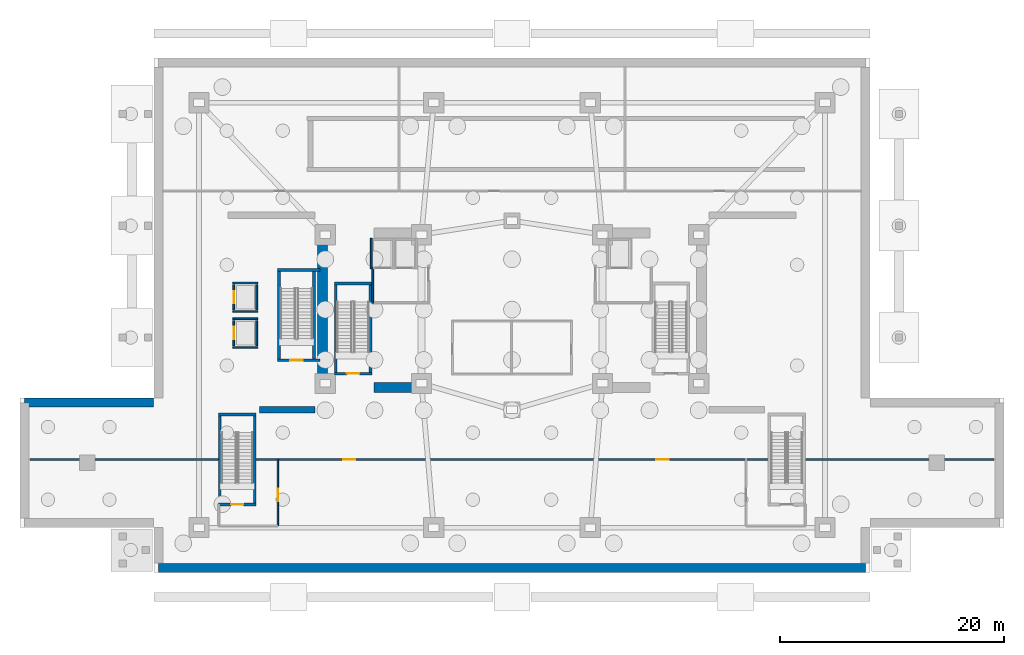
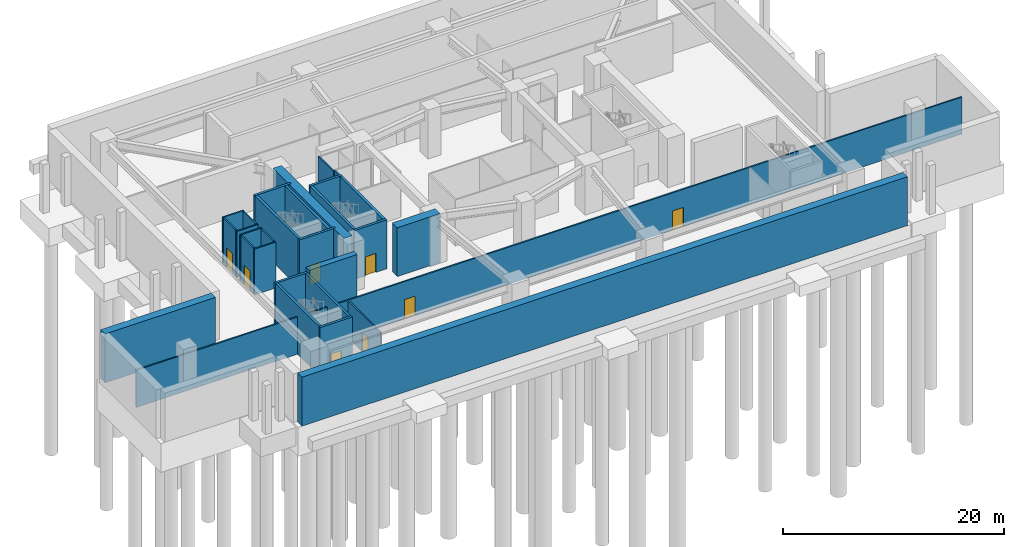
# One storey, part 3 of 9: 29 walls, 8 doors, 8 openings.
"""IFC4 building model written with IfcOpenShell, lengths in metres."""

import ifcopenshell
import ifcopenshell.guid

model = None  # the IFC model being written
_history = None  # IfcOwnerHistory: only IFC2X3 demands one
_inside = {}  # id of a spatial element -> (the spatial element, [elements in it])
_under = {}  # id of a project, library or spatial element -> (it, [spatial elements below it])
_declared = {}  # id of a project -> (the project, [libraries it declares])
_typed = {}  # id of a type object -> (the type object, [elements of that type])
_made_of = {}  # id of a material, layer set ... -> (it, [elements and type objects made of it])


def new_model(schema):
    """Start an empty IFC model of exactly this schema.

    Asked for "IFC4X3", IfcOpenShell would pick the latest addendum, in which some entities
    have other attributes; the version numbers below select the first issue.
    IFC2X3 requires an IfcOwnerHistory on every rooted entity: one is made here for all.
    """
    global model, _history
    if schema == "IFC4X3":
        model = ifcopenshell.file(schema_version=(4, 3, 0, 0))
    else:
        model = ifcopenshell.file(schema=schema)
    _inside.clear()
    _under.clear()
    _declared.clear()
    _typed.clear()
    _made_of.clear()
    _history = None
    if model.schema == "IFC2X3":
        org = make("IfcOrganization", Name="unknown")
        user = make(
            "IfcPersonAndOrganization",
            ThePerson=make("IfcPerson", FamilyName="unknown"),
            TheOrganization=org,
        )
        app = make(
            "IfcApplication",
            ApplicationDeveloper=org,
            Version="unknown",
            ApplicationFullName="unknown",
            ApplicationIdentifier="unknown",
        )
        _history = make(
            "IfcOwnerHistory",
            OwningUser=user,
            OwningApplication=app,
            ChangeAction="ADDED",
            CreationDate=0,
        )
    return model


def make(cls, **values):
    """One entity of the class cls with the attributes given. An attribute that is None is left unset."""
    return model.create_entity(
        cls, **{name: value for name, value in values.items() if value is not None}
    )


def rooted(cls, **values):
    """An entity with a GlobalId (a new one), such as an element, a storey or a relation."""
    return make(cls, GlobalId=ifcopenshell.guid.new(), OwnerHistory=_history, **values)


def si_unit(unit_type, name, prefix=None):
    """IfcSIUnit, for example si_unit("LENGTHUNIT", "METRE", prefix="MILLI")."""
    return make("IfcSIUnit", UnitType=unit_type, Prefix=prefix, Name=name)


def assignment(units):
    """IfcUnitAssignment: the units of a project."""
    return None if units is None else make("IfcUnitAssignment", Units=units)


def point(xyz):
    """IfcCartesianPoint."""
    return None if xyz is None else make("IfcCartesianPoint", Coordinates=xyz)


def direction(xyz):
    """IfcDirection."""
    return None if xyz is None else make("IfcDirection", DirectionRatios=xyz)


def frame(location, z_axis=None, x_axis=None):
    """IfcAxis2Placement3D, a coordinate frame: its origin and axes. An axis left out is left unset."""
    return make(
        "IfcAxis2Placement3D",
        Location=point(location),
        Axis=direction(z_axis),
        RefDirection=direction(x_axis),
    )


def frame_2d(location, x_axis=None):
    """IfcAxis2Placement2D, a coordinate frame in the plane: its origin and x axis."""
    return make(
        "IfcAxis2Placement2D", Location=point(location), RefDirection=direction(x_axis)
    )


def origin():
    """The frame at (0, 0, 0) with its axes left unset."""
    return frame((0.0, 0.0, 0.0))


def place(relative_to, where):
    """IfcLocalPlacement: puts the frame where relative to a parent placement (None: the world)."""
    return make(
        "IfcLocalPlacement", PlacementRelTo=relative_to, RelativePlacement=where
    )


def context(
    kind, dimensions, precision=None, world=None, true_north=None, identifier=None
):
    """IfcGeometricRepresentationContext, for example the 3D "Model" context."""
    return make(
        "IfcGeometricRepresentationContext",
        ContextIdentifier=identifier,
        ContextType=kind,
        CoordinateSpaceDimension=dimensions,
        Precision=precision,
        WorldCoordinateSystem=world,
        TrueNorth=true_north,
    )


def subcontext(parent, identifier, kind, view, scale=None):
    """IfcGeometricRepresentationSubContext, for example "Body" below "Model"."""
    return make(
        "IfcGeometricRepresentationSubContext",
        ContextIdentifier=identifier,
        ContextType=kind,
        ParentContext=parent,
        TargetScale=scale,
        TargetView=view,
    )


def project(units=None, contexts=None):
    """IfcProject with its units and contexts."""
    return rooted(
        "IfcProject",
        Name="project",
        RepresentationContexts=contexts,
        UnitsInContext=assignment(units),
    )


def spatial(cls, under=None, at=None, **own):
    """A site, building, storey or space (cls), placed at a placement, below another one or the project."""
    s = rooted(cls, ObjectPlacement=at, **own)
    if under is not None:
        _under.setdefault(under.id(), (under, []))[1].append(s)
    return s


def profile(cls, at=None, kind="AREA", **sizes):
    """A parametric profile (cls). Its sizes go by their IFC names, for example OverallWidth=200.0."""
    return make(cls, ProfileType=kind, Position=at, **sizes)


def rectangle(**sizes):
    """IfcRectangleProfileDef."""
    return profile("IfcRectangleProfileDef", **sizes)


def extrude(swept, where, along, depth):
    """IfcExtrudedAreaSolid: the profile swept, set in the frame where, extruded along a direction by depth."""
    return make(
        "IfcExtrudedAreaSolid",
        SweptArea=swept,
        Position=where,
        ExtrudedDirection=direction(along),
        Depth=depth,
    )


def shape(context_of_items, identifier, shape_type, items):
    """IfcShapeRepresentation: the items that make up one representation, for example the "Body"."""
    return make(
        "IfcShapeRepresentation",
        ContextOfItems=context_of_items,
        RepresentationIdentifier=identifier,
        RepresentationType=shape_type,
        Items=items,
    )


def material(Name=None, Category=None):
    """IfcMaterial."""
    return make("IfcMaterial", Name=Name, Category=Category)


def layer(
    of_material, thickness, ventilated=None, Name=None, Category=None, Priority=None
):
    """IfcMaterialLayer: one layer of a wall or slab, of a material (None: an air gap)."""
    return make(
        "IfcMaterialLayer",
        Material=of_material,
        LayerThickness=thickness,
        IsVentilated=ventilated,
        Name=Name,
        Category=Category,
        Priority=Priority,
    )


def layer_set(layers, Name=None):
    """IfcMaterialLayerSet."""
    return make("IfcMaterialLayerSet", MaterialLayers=layers, LayerSetName=Name)


def made_of(thing, what):
    """Note that an element or type object is made of a material, layer set ...; save() writes the relation."""
    if what is not None:
        _made_of.setdefault(what.id(), (what, []))[1].append(thing)
    return thing


def type_object(cls, material=None, **own):
    """A type object (cls), such as IfcWallType, which elements share."""
    return made_of(rooted(cls, **own), material)


def element(
    cls,
    number,
    at=None,
    inside=None,
    cuts=None,
    type_object=None,
    material=None,
    context=None,
    identifier="Body",
    shape_type=None,
    held_by="IfcProductDefinitionShape",
    body=None,
    shapes=None,
    **own,
):
    """One element of the class cls, such as IfcWall. Its Tag is "e" and its number.

    at: its placement. inside: the storey or other place that contains it. cuts: it is an
    opening in that element (IfcRelVoidsElement). A single representation is given by context,
    identifier, shape_type and body (its items); several are given by shapes. held_by: the class
    of the entity that holds the representations. save() writes the other relations.
    """
    e = rooted(cls, Tag="e%d" % number, ObjectPlacement=at, **own)
    if body is not None:
        shapes = [shape(context, identifier, shape_type, body)]
    if shapes is not None:
        e.Representation = make(held_by, Representations=shapes)
    if inside is not None:
        _inside.setdefault(inside.id(), (inside, []))[1].append(e)
    if cuts is not None:
        rooted(
            "IfcRelVoidsElement", RelatingBuildingElement=cuts, RelatedOpeningElement=e
        )
    if type_object is not None:
        _typed.setdefault(type_object.id(), (type_object, []))[1].append(e)
    return made_of(e, material)


def fill(opening, filler):
    """IfcRelFillsElement: the door or window that sits in an opening."""
    return rooted(
        "IfcRelFillsElement",
        RelatingOpeningElement=opening,
        RelatedBuildingElement=filler,
    )


def aggregate(whole, parts):
    """IfcRelAggregates: a whole, such as a stair, and the parts it consists of."""
    return rooted("IfcRelAggregates", RelatingObject=whole, RelatedObjects=parts)


def save(model, path):
    """Write the relations noted so far, then the file.

    IfcRelAggregates (storeys below a building ...), IfcRelContainedInSpatialStructure (elements
    in a storey), IfcRelDefinesByType, IfcRelAssociatesMaterial and IfcRelDeclares: one each for
    every whole, place, type object, material and project.
    """
    for whole, parts in _under.values():
        aggregate(whole, parts)
    for where, things in _inside.values():
        rooted(
            "IfcRelContainedInSpatialStructure",
            RelatedElements=things,
            RelatingStructure=where,
        )
    for kind, things in _typed.values():
        rooted("IfcRelDefinesByType", RelatedObjects=things, RelatingType=kind)
    for what, things in _made_of.values():
        rooted("IfcRelAssociatesMaterial", RelatedObjects=things, RelatingMaterial=what)
    for by, libraries in _declared.values():
        rooted("IfcRelDeclares", RelatingContext=by, RelatedDefinitions=libraries)
    model.write(path)


model = new_model("IFC4")

# Units and contexts
model_context = context("Model", 3, precision=1e-05, world=origin(), true_north=direction((0.0, 1.0)))
body_context = subcontext(model_context, "Body", "Model", "MODEL_VIEW")
ifc_project = project(units=[si_unit("LENGTHUNIT", "METRE"), si_unit("AREAUNIT", "SQUARE_METRE"), si_unit("VOLUMEUNIT", "CUBIC_METRE"), si_unit("PLANEANGLEUNIT", "RADIAN"), si_unit("MASSUNIT", "GRAM", prefix="KILO")], contexts=[model_context])

# Site, building, storey
site_placement = place(None, origin())
site = spatial("IfcSite", under=ifc_project, at=site_placement, CompositionType="ELEMENT")
building_placement = place(site_placement, origin())
building = spatial("IfcBuilding", under=site, at=building_placement, Name="Solvane Sanctuary Tower", CompositionType="ELEMENT")
storey_placement = place(building_placement, frame((0.0, 0.0, -10.800048828125)))
storey = spatial("IfcBuildingStorey", under=building, at=storey_placement, Name="B02", CompositionType="ELEMENT", Elevation=-10.800048828125)

# Walls
ifc_material_1 = material(Name="Concrete C70/85", Category="concrete")
ifc_layer_1 = layer(ifc_material_1, 0.89990234375, Name="Concrete C70/85")
ifc_layer_set_1 = layer_set([ifc_layer_1], Name="Concrete C70/85")
wall_type_1 = type_object("IfcWallType", Name="Wall W-CORE-900", PredefinedType="SHEAR", material=ifc_layer_set_1)
wall_1_placement = place(storey_placement, frame((15.050048828125, 17.050048828125, 0.0), z_axis=(0.0, 0.0, 1.0), x_axis=(0.0, 1.0, 0.0)))
element("IfcWall", 1, at=wall_1_placement, inside=storey, type_object=wall_type_1, Name="B02 Core Shear Wall WC-W", PredefinedType="SHEAR", context=body_context, shape_type="SweptSolid", body=[
    extrude(rectangle(XDim=12.800048828125, YDim=0.89990234375, at=frame_2d((6.39990234375, 0.0))), origin(), (0.0, 0.0, 1.0), 5.400146484375),
])
wall_2_placement = place(storey_placement, frame((19.64990234375, 16.550048828125, 0.0), z_axis=(0.0, 0.0, 1.0), x_axis=(1.0, 0.0, 0.0)))
element("IfcWall", 2, at=wall_2_placement, inside=storey, type_object=wall_type_1, Name="B02 Core Shear Wall WC-S", PredefinedType="SHEAR", context=body_context, shape_type="SweptSolid", body=[
    extrude(rectangle(XDim=4.5, YDim=0.89990234375, at=frame_2d((2.25, 0.0))), origin(), (0.0, 0.0, 1.0), 5.400146484375),
])
ifc_material_2 = material(Name="Acoustic Gypsum Partition Board")
ifc_layer_2 = layer(ifc_material_2, 0.14990234375, Name="Acoustic Gypsum Partition Board")
ifc_layer_set_2 = layer_set([ifc_layer_2], Name="Acoustic Gypsum Partition Board")
wall_type_2 = type_object("IfcWallType", Name="Wall W-CORR-150", PredefinedType="PARTITIONING", material=ifc_layer_set_2)
wall_3_placement = place(storey_placement, frame((19.550048828125, 24.080078125, 0.0), z_axis=(0.0, 0.0, 1.0), x_axis=(0.0, 1.0, 0.0)))
element("IfcWall", 3, at=wall_3_placement, inside=storey, type_object=wall_type_2, Name="B02 West Firefighting Lobby West Wall", PredefinedType="PARTITIONING", context=body_context, shape_type="SweptSolid", body=[
    extrude(rectangle(XDim=3.199951171875, YDim=0.14990234375, at=frame_2d((1.60009765625, 0.0))), origin(), (0.0, 0.0, 1.0), 5.054931640625),
])

# Wall, opening, door
wall_4_placement = place(storey_placement, frame((11.06005859375, 4.159912109375, 0.0), z_axis=(0.0, 0.0, 1.0), x_axis=(0.0, 1.0, 0.0)))
wall_4 = element("IfcWall", 4, at=wall_4_placement, inside=storey, type_object=wall_type_2, Name="B02 ST-4 Link East Wall", PredefinedType="PARTITIONING", context=body_context, shape_type="SweptSolid", body=[
    extrude(rectangle(XDim=5.989990234375, YDim=0.14990234375, at=frame_2d((2.9951171875, 0.0))), origin(), (0.0, 0.0, 1.0), 4.10009765625),
])
opening_1_placement = place(wall_4_placement, frame((2.199951171875, 0.0, 0.0)))
opening_1 = element("IfcOpeningElement", 5, at=opening_1_placement, cuts=wall_4, Name="Opening D-B02-08", PredefinedType="OPENING", context=body_context, shape_type="SweptSolid", body=[
    extrude(rectangle(XDim=1.10009765625, YDim=2.10009765625, at=frame_2d((0.550048828125, 1.050048828125))), frame((0.0, 0.0849609375, 0.0), z_axis=(0.0, -1.0, 0.0), x_axis=(1.0, 0.0, 0.0)), (0.0, 0.0, 1.0), 0.169921875),
])
ifc_material_3 = material(Name="Architectural Stainless Steel 316", Category="steel")
door_type_1 = type_object("IfcDoorType", Name="Door D-FFL", OperationType="NOTDEFINED", PredefinedType="DOOR", material=ifc_material_3)
door_1_placement = place(opening_1_placement, origin())
door_1 = element("IfcDoor", 6, at=door_1_placement, inside=storey, type_object=door_type_1, Name="B02 Guideway West Maintenance Door", OperationType="SINGLE_SWING_LEFT", OverallHeight=2.10009765625, OverallWidth=1.10009765625, PredefinedType="DOOR", context=body_context, shape_type="SweptSolid", body=[
    extrude(rectangle(XDim=1.10009765625, YDim=2.10009765625, at=frame_2d((0.550048828125, 1.050048828125))), frame((0.0, 0.02490234375, 0.0), z_axis=(0.0, -1.0, 0.0), x_axis=(1.0, 0.0, 0.0)), (0.0, 0.0, 1.0), 0.050048828125),
])
fill(opening_1, door_1)

# Wall, openings, doors
wall_5_placement = place(storey_placement, frame((-11.10009765625, 10.10009765625, 0.0), z_axis=(0.0, 0.0, 1.0), x_axis=(1.0, 0.0, 0.0)))
wall_5 = element("IfcWall", 7, at=wall_5_placement, inside=storey, type_object=wall_type_2, Name="B02 Metro Platform Screen Separation Wall", PredefinedType="PARTITIONING", context=body_context, shape_type="SweptSolid", body=[
    extrude(rectangle(XDim=86.2001953125, YDim=0.14990234375, at=frame_2d((43.10009765625, 0.0))), origin(), (0.0, 0.0, 1.0), 4.10009765625),
])
opening_2_placement = place(wall_5_placement, frame((28.0, 0.0, 0.0)))
opening_2 = element("IfcOpeningElement", 8, at=opening_2_placement, cuts=wall_5, Name="Opening D-B02-13", PredefinedType="OPENING", context=body_context, shape_type="SweptSolid", body=[
    extrude(rectangle(XDim=1.10009765625, YDim=2.10009765625, at=frame_2d((0.550048828125, 1.050048828125))), frame((0.0, 0.0849609375, 0.0), z_axis=(0.0, -1.0, 0.0), x_axis=(1.0, 0.0, 0.0)), (0.0, 0.0, 1.0), 0.169921875),
])
opening_3_placement = place(wall_5_placement, frame((56.0, 0.0, 0.0)))
opening_3 = element("IfcOpeningElement", 9, at=opening_3_placement, cuts=wall_5, Name="Opening D-B02-14", PredefinedType="OPENING", context=body_context, shape_type="SweptSolid", body=[
    extrude(rectangle(XDim=1.10009765625, YDim=2.10009765625, at=frame_2d((0.550048828125, 1.050048828125))), frame((0.0, 0.0849609375, 0.0), z_axis=(0.0, -1.0, 0.0), x_axis=(1.0, 0.0, 0.0)), (0.0, 0.0, 1.0), 0.169921875),
])
door_2_placement = place(opening_2_placement, origin())
door_2 = element("IfcDoor", 10, at=door_2_placement, inside=storey, type_object=door_type_1, Name="B02 Metro Platform Screen Door West", OperationType="SINGLE_SWING_RIGHT", OverallHeight=2.10009765625, OverallWidth=1.10009765625, PredefinedType="DOOR", context=body_context, shape_type="SweptSolid", body=[
    extrude(rectangle(XDim=1.10009765625, YDim=2.10009765625, at=frame_2d((0.550048828125, 1.050048828125))), frame((0.0, 0.02490234375, 0.0), z_axis=(0.0, -1.0, 0.0), x_axis=(1.0, 0.0, 0.0)), (0.0, 0.0, 1.0), 0.050048828125),
])
fill(opening_2, door_2)
door_3_placement = place(opening_3_placement, origin())
door_3 = element("IfcDoor", 11, at=door_3_placement, inside=storey, type_object=door_type_1, Name="B02 Metro Platform Screen Door East", OperationType="SINGLE_SWING_LEFT", OverallHeight=2.10009765625, OverallWidth=1.10009765625, PredefinedType="DOOR", context=body_context, shape_type="SweptSolid", body=[
    extrude(rectangle(XDim=1.10009765625, YDim=2.10009765625, at=frame_2d((0.550048828125, 1.050048828125))), frame((0.0, 0.02490234375, 0.0), z_axis=(0.0, -1.0, 0.0), x_axis=(1.0, 0.0, 0.0)), (0.0, 0.0, 1.0), 0.050048828125),
])
fill(opening_3, door_3)

# Walls
ifc_material_4 = material(Name="Concrete C60/75", Category="concrete")
ifc_layer_3 = layer(ifc_material_4, 0.60009765625, Name="Concrete C60/75")
ifc_layer_set_3 = layer_set([ifc_layer_3], Name="Concrete C60/75")
wall_type_3 = type_object("IfcWallType", Name="Wall W-METRO-600", PredefinedType="SOLIDWALL", material=ifc_layer_set_3)
wall_6_placement = place(storey_placement, frame((9.39990234375, 14.550048828125, 0.0), z_axis=(0.0, 0.0, 1.0), x_axis=(1.0, 0.0, 0.0)))
element("IfcWall", 12, at=wall_6_placement, inside=storey, type_object=wall_type_3, Name="B02 Metro Station Box Wall MS1", PredefinedType="SOLIDWALL", context=body_context, shape_type="SweptSolid", body=[
    extrude(rectangle(XDim=5.0, YDim=0.60009765625, at=frame_2d((2.5, 0.0))), origin(), (0.0, 0.0, 1.0), 5.400146484375),
])
ifc_layer_4 = layer(ifc_material_4, 0.800048828125, Name="Concrete C60/75")
ifc_layer_set_4 = layer_set([ifc_layer_4], Name="Concrete C60/75")
wall_type_4 = type_object("IfcWallType", Name="Wall W-RET-800", PredefinedType="USERDEFINED", material=ifc_layer_set_4)
wall_7_placement = place(storey_placement, frame((0.39990234375, 0.39990234375, 0.0), z_axis=(0.0, 0.0, 1.0), x_axis=(1.0, 0.0, 0.0)))
element("IfcWall", 13, at=wall_7_placement, inside=storey, type_object=wall_type_4, Name="B02 Perimeter Retaining Wall S", ObjectType="RETAININGWALL", PredefinedType="USERDEFINED", context=body_context, shape_type="SweptSolid", body=[
    extrude(rectangle(XDim=63.2001953125, YDim=0.800048828125, at=frame_2d((31.60009765625, 0.0))), origin(), (0.0, 0.0, 1.0), 5.400146484375),
])
wall_8_placement = place(storey_placement, frame((-0.050048828125, 15.199951171875, 0.0), z_axis=(0.0, 0.0, 1.0), x_axis=(-1.0, 0.0, 0.0)))
element("IfcWall", 14, at=wall_8_placement, inside=storey, type_object=wall_type_4, Name="B02 Perimeter Retaining Wall MWN", ObjectType="RETAININGWALL", PredefinedType="USERDEFINED", context=body_context, shape_type="SweptSolid", body=[
    extrude(rectangle(XDim=11.550048828125, YDim=0.800048828125, at=frame_2d((5.77490234375, 0.0))), origin(), (0.0, 0.0, 1.0), 5.400146484375),
])
ifc_material_5 = material(Name="Concrete C50/60", Category="concrete")
ifc_layer_5 = layer(ifc_material_5, 0.14990234375, Name="Concrete C50/60")
ifc_layer_set_5 = layer_set([ifc_layer_5], Name="Concrete C50/60")
wall_type_5 = type_object("IfcWallType", Name="Wall W-SHAFT-150", PredefinedType="SOLIDWALL", material=ifc_layer_set_5)
wall_9_placement = place(storey_placement, frame((19.419921875, 27.139892578125, 0.0), z_axis=(0.0, 0.0, 1.0), x_axis=(0.0, 1.0, 0.0)))
element("IfcWall", 15, at=wall_9_placement, inside=storey, type_object=wall_type_5, Name="B02 FFL-1 Lift Shaft Wall S1", PredefinedType="SOLIDWALL", context=body_context, shape_type="SweptSolid", body=[
    extrude(rectangle(XDim=2.72021484375, YDim=0.14990234375, at=frame_2d((1.360107421875, 0.0))), origin(), (0.0, 0.0, 1.0), 5.054931640625),
])

# Wall, opening, door
wall_10_placement = place(storey_placement, frame((7.1201171875, 20.2900390625, 0.0), z_axis=(0.0, 0.0, 1.0), x_axis=(0.0, 1.0, 0.0)))
wall_10 = element("IfcWall", 16, at=wall_10_placement, inside=storey, type_object=wall_type_5, Name="B02 ML-1 Lift Shaft Wall F", PredefinedType="SOLIDWALL", context=body_context, shape_type="SweptSolid", body=[
    extrude(rectangle(XDim=2.219970703125, YDim=0.14990234375, at=frame_2d((1.10986328125, 0.0))), origin(), (0.0, 0.0, 1.0), 5.054931640625),
])
opening_4_placement = place(wall_10_placement, frame((0.56005859375, 0.0, 0.0)))
opening_4 = element("IfcOpeningElement", 17, at=opening_4_placement, cuts=wall_10, Name="Opening LD-B02-04", PredefinedType="OPENING", context=body_context, shape_type="SweptSolid", body=[
    extrude(rectangle(XDim=1.10009765625, YDim=2.10009765625, at=frame_2d((0.550048828125, 1.050048828125))), frame((0.0, 0.0849609375, 0.0), z_axis=(0.0, -1.0, 0.0), x_axis=(1.0, 0.0, 0.0)), (0.0, 0.0, 1.0), 0.169921875),
])
door_type_2 = type_object("IfcDoorType", Name="Door LD-PASS-1100", OperationType="NOTDEFINED", PredefinedType="DOOR", material=ifc_material_3)
door_4_placement = place(opening_4_placement, origin())
door_4 = element("IfcDoor", 18, at=door_4_placement, inside=storey, type_object=door_type_2, Name="B02 ML-1 Lift Landing Door", OperationType="DOUBLE_DOOR_SLIDING", OverallHeight=2.10009765625, OverallWidth=1.10009765625, PredefinedType="DOOR", context=body_context, shape_type="SweptSolid", body=[
    extrude(rectangle(XDim=1.10009765625, YDim=2.10009765625, at=frame_2d((0.550048828125, 1.050048828125))), frame((0.0, 0.02490234375, 0.0), z_axis=(0.0, -1.0, 0.0), x_axis=(1.0, 0.0, 0.0)), (0.0, 0.0, 1.0), 0.050048828125),
])
fill(opening_4, door_4)

# Walls
for number, where, z_axis, x_axis, name in (
    (19, (9.179931640625, 20.2900390625, 0.0), (0.0, 0.0, 1.0), (0.0, 1.0, 0.0), "B02 ML-1 Lift Shaft Wall B"),
    (20, (7.0400390625, 20.1201171875, 0.0), (0.0, 0.0, 1.0), (1.0, 0.0, 0.0), "B02 ML-1 Lift Shaft Wall S1"),
    (21, (7.0400390625, 22.679931640625, 0.0), (0.0, 0.0, 1.0), (1.0, 0.0, 0.0), "B02 ML-1 Lift Shaft Wall S2"),
):
    element("IfcWall", number, at=place(storey_placement, frame(where, z_axis=z_axis, x_axis=x_axis)), inside=storey, type_object=wall_type_5, Name=name, PredefinedType="SOLIDWALL", context=body_context, shape_type="SweptSolid", body=[
        extrude(rectangle(XDim=2.219970703125, YDim=0.14990234375, at=frame_2d((1.10986328125, 0.0))), origin(), (0.0, 0.0, 1.0), 5.054931640625),
    ])

# Wall, opening, door
wall_11_placement = place(storey_placement, frame((7.1201171875, 23.489990234375, 0.0), z_axis=(0.0, 0.0, 1.0), x_axis=(0.0, 1.0, 0.0)))
wall_11 = element("IfcWall", 22, at=wall_11_placement, inside=storey, type_object=wall_type_5, Name="B02 ML-2 Lift Shaft Wall F", PredefinedType="SOLIDWALL", context=body_context, shape_type="SweptSolid", body=[
    extrude(rectangle(XDim=2.219970703125, YDim=0.14990234375, at=frame_2d((1.10986328125, 0.0))), origin(), (0.0, 0.0, 1.0), 5.054931640625),
])
opening_5_placement = place(wall_11_placement, frame((0.56005859375, 0.0, 0.0)))
opening_5 = element("IfcOpeningElement", 23, at=opening_5_placement, cuts=wall_11, Name="Opening LD-B02-05", PredefinedType="OPENING", context=body_context, shape_type="SweptSolid", body=[
    extrude(rectangle(XDim=1.10009765625, YDim=2.10009765625, at=frame_2d((0.550048828125, 1.050048828125))), frame((0.0, 0.0849609375, 0.0), z_axis=(0.0, -1.0, 0.0), x_axis=(1.0, 0.0, 0.0)), (0.0, 0.0, 1.0), 0.169921875),
])
door_5_placement = place(opening_5_placement, origin())
door_5 = element("IfcDoor", 24, at=door_5_placement, inside=storey, type_object=door_type_2, Name="B02 ML-2 Lift Landing Door", OperationType="DOUBLE_DOOR_SLIDING", OverallHeight=2.10009765625, OverallWidth=1.10009765625, PredefinedType="DOOR", context=body_context, shape_type="SweptSolid", body=[
    extrude(rectangle(XDim=1.10009765625, YDim=2.10009765625, at=frame_2d((0.550048828125, 1.050048828125))), frame((0.0, 0.02490234375, 0.0), z_axis=(0.0, -1.0, 0.0), x_axis=(1.0, 0.0, 0.0)), (0.0, 0.0, 1.0), 0.050048828125),
])
fill(opening_5, door_5)

# Walls
for number, where, z_axis, x_axis, name in (
    (25, (9.179931640625, 23.489990234375, 0.0), (0.0, 0.0, 1.0), (0.0, 1.0, 0.0), "B02 ML-2 Lift Shaft Wall B"),
    (26, (7.0400390625, 23.320068359375, 0.0), (0.0, 0.0, 1.0), (1.0, 0.0, 0.0), "B02 ML-2 Lift Shaft Wall S1"),
    (27, (7.0400390625, 25.8798828125, 0.0), (0.0, 0.0, 1.0), (1.0, 0.0, 0.0), "B02 ML-2 Lift Shaft Wall S2"),
):
    element("IfcWall", number, at=place(storey_placement, frame(where, z_axis=z_axis, x_axis=x_axis)), inside=storey, type_object=wall_type_5, Name=name, PredefinedType="SOLIDWALL", context=body_context, shape_type="SweptSolid", body=[
        extrude(rectangle(XDim=2.219970703125, YDim=0.14990234375, at=frame_2d((1.10986328125, 0.0))), origin(), (0.0, 0.0, 1.0), 5.054931640625),
    ])

# Wall, opening, door
ifc_layer_6 = layer(ifc_material_5, 0.25, Name="Concrete C50/60")
ifc_layer_set_6 = layer_set([ifc_layer_6], Name="Concrete C50/60")
wall_type_6 = type_object("IfcWallType", Name="Wall W-SHAFT-250", PredefinedType="SOLIDWALL", material=ifc_layer_set_6)
wall_12_placement = place(storey_placement, frame((16.10498046875, 17.77001953125, 0.0), z_axis=(0.0, 0.0, 1.0), x_axis=(1.0, 0.0, 0.0)))
wall_12 = element("IfcWall", 28, at=wall_12_placement, inside=storey, type_object=wall_type_6, Name="B02 ST-1 Load-Bearing Shaft Wall S", PredefinedType="SOLIDWALL", context=body_context, shape_type="SweptSolid", body=[
    extrude(rectangle(XDim=3.3701171875, YDim=0.25, at=frame_2d((1.68505859375, 0.0))), origin(), (0.0, 0.0, 1.0), 5.400146484375),
])
opening_6_placement = place(wall_12_placement, frame((1.135009765625, 0.0, 0.0)))
opening_6 = element("IfcOpeningElement", 29, at=opening_6_placement, cuts=wall_12, Name="Opening D-B02-01", PredefinedType="OPENING", context=body_context, shape_type="SweptSolid", body=[
    extrude(rectangle(XDim=1.10009765625, YDim=2.10009765625, at=frame_2d((0.550048828125, 1.050048828125))), frame((0.0, 0.135009765625, 0.0), z_axis=(0.0, -1.0, 0.0), x_axis=(1.0, 0.0, 0.0)), (0.0, 0.0, 1.0), 0.27001953125),
])
door_type_3 = type_object("IfcDoorType", Name="Door D-STAIR", OperationType="NOTDEFINED", PredefinedType="DOOR", material=ifc_material_3)
door_6_placement = place(opening_6_placement, origin())
door_6 = element("IfcDoor", 30, at=door_6_placement, inside=storey, type_object=door_type_3, Name="B02 ST-1 Exit Stair Fire Door", OperationType="SINGLE_SWING_LEFT", OverallHeight=2.10009765625, OverallWidth=1.10009765625, PredefinedType="DOOR", context=body_context, shape_type="SweptSolid", body=[
    extrude(rectangle(XDim=1.10009765625, YDim=2.10009765625, at=frame_2d((0.550048828125, 1.050048828125))), frame((0.0, 0.02490234375, 0.0), z_axis=(0.0, -1.0, 0.0), x_axis=(1.0, 0.0, 0.0)), (0.0, 0.0, 1.0), 0.050048828125),
])
fill(opening_6, door_6)

# Walls
wall_13_placement = place(storey_placement, frame((16.10498046875, 25.830078125, 0.0), z_axis=(0.0, 0.0, 1.0), x_axis=(1.0, 0.0, 0.0)))
element("IfcWall", 31, at=wall_13_placement, inside=storey, type_object=wall_type_6, Name="B02 ST-1 Load-Bearing Shaft Wall N", PredefinedType="SOLIDWALL", context=body_context, shape_type="SweptSolid", body=[
    extrude(rectangle(XDim=3.3701171875, YDim=0.25, at=frame_2d((1.68505859375, 0.0))), origin(), (0.0, 0.0, 1.0), 5.400146484375),
])
for number, where, z_axis, x_axis, name in (
    (32, (16.22998046875, 17.89501953125, 0.0), (0.0, 0.0, 1.0), (0.0, 1.0, 0.0), "B02 ST-1 Load-Bearing Shaft Wall W"),
    (33, (19.35009765625, 17.89501953125, 0.0), (0.0, 0.0, 1.0), (0.0, 1.0, 0.0), "B02 ST-1 Load-Bearing Shaft Wall E"),
):
    element("IfcWall", number, at=place(storey_placement, frame(where, z_axis=z_axis, x_axis=x_axis)), inside=storey, type_object=wall_type_6, Name=name, PredefinedType="SOLIDWALL", context=body_context, shape_type="SweptSolid", body=[
        extrude(rectangle(XDim=7.81005859375, YDim=0.25, at=frame_2d((3.905029296875, 0.0))), origin(), (0.0, 0.0, 1.0), 5.400146484375),
    ])

# Wall, opening, door
wall_14_placement = place(storey_placement, frame((11.044921875, 18.969970703125, 0.0), z_axis=(0.0, 0.0, 1.0), x_axis=(1.0, 0.0, 0.0)))
wall_14 = element("IfcWall", 34, at=wall_14_placement, inside=storey, type_object=wall_type_6, Name="B02 ST-3 Load-Bearing Shaft Wall S", PredefinedType="SOLIDWALL", context=body_context, shape_type="SweptSolid", body=[
    extrude(rectangle(XDim=3.781982421875, YDim=0.25, at=frame_2d((1.89111328125, 0.0))), origin(), (0.0, 0.0, 1.0), 5.400146484375),
])
opening_7_placement = place(wall_14_placement, frame((1.135009765625, 0.0, 0.0)))
opening_7 = element("IfcOpeningElement", 35, at=opening_7_placement, cuts=wall_14, Name="Opening D-B02-03", PredefinedType="OPENING", context=body_context, shape_type="SweptSolid", body=[
    extrude(rectangle(XDim=1.10009765625, YDim=2.10009765625, at=frame_2d((0.550048828125, 1.050048828125))), frame((0.0, 0.135009765625, 0.0), z_axis=(0.0, -1.0, 0.0), x_axis=(1.0, 0.0, 0.0)), (0.0, 0.0, 1.0), 0.27001953125),
])
door_7_placement = place(opening_7_placement, origin())
door_7 = element("IfcDoor", 36, at=door_7_placement, inside=storey, type_object=door_type_3, Name="B02 ST-3 Exit Stair Fire Door", OperationType="SINGLE_SWING_LEFT", OverallHeight=2.10009765625, OverallWidth=1.10009765625, PredefinedType="DOOR", context=body_context, shape_type="SweptSolid", body=[
    extrude(rectangle(XDim=1.10009765625, YDim=2.10009765625, at=frame_2d((0.550048828125, 1.050048828125))), frame((0.0, 0.02490234375, 0.0), z_axis=(0.0, -1.0, 0.0), x_axis=(1.0, 0.0, 0.0)), (0.0, 0.0, 1.0), 0.050048828125),
])
fill(opening_7, door_7)

# Walls
wall_15_placement = place(storey_placement, frame((11.044921875, 27.030029296875, 0.0), z_axis=(0.0, 0.0, 1.0), x_axis=(1.0, 0.0, 0.0)))
element("IfcWall", 37, at=wall_15_placement, inside=storey, type_object=wall_type_6, Name="B02 ST-3 Load-Bearing Shaft Wall N", PredefinedType="SOLIDWALL", context=body_context, shape_type="SweptSolid", body=[
    extrude(rectangle(XDim=3.781982421875, YDim=0.25, at=frame_2d((1.89111328125, 0.0))), origin(), (0.0, 0.0, 1.0), 5.400146484375),
])
for number, where, z_axis, x_axis, name in (
    (38, (11.169921875, 19.094970703125, 0.0), (0.0, 0.0, 1.0), (0.0, 1.0, 0.0), "B02 ST-3 Load-Bearing Shaft Wall W"),
    (39, (14.2900390625, 19.094970703125, 0.0), (0.0, 0.0, 1.0), (0.0, 1.0, 0.0), "B02 ST-3 Load-Bearing Shaft Wall E"),
):
    element("IfcWall", number, at=place(storey_placement, frame(where, z_axis=z_axis, x_axis=x_axis)), inside=storey, type_object=wall_type_6, Name=name, PredefinedType="SOLIDWALL", context=body_context, shape_type="SweptSolid", body=[
        extrude(rectangle(XDim=7.81005859375, YDim=0.25, at=frame_2d((3.905029296875, 0.0))), origin(), (0.0, 0.0, 1.0), 5.400146484375),
    ])

# Wall, opening, door
wall_16_placement = place(storey_placement, frame((5.7451171875, 6.070068359375, 0.0), z_axis=(0.0, 0.0, 1.0), x_axis=(1.0, 0.0, 0.0)))
wall_16 = element("IfcWall", 40, at=wall_16_placement, inside=storey, type_object=wall_type_6, Name="B02 ST-4 Load-Bearing Shaft Wall S", PredefinedType="SOLIDWALL", context=body_context, shape_type="SweptSolid", body=[
    extrude(rectangle(XDim=3.369873046875, YDim=0.25, at=frame_2d((1.68505859375, 0.0))), origin(), (0.0, 0.0, 1.0), 5.400146484375),
])
opening_8_placement = place(wall_16_placement, frame((1.135009765625, 0.0, 0.0)))
opening_8 = element("IfcOpeningElement", 41, at=opening_8_placement, cuts=wall_16, Name="Opening D-B02-04", PredefinedType="OPENING", context=body_context, shape_type="SweptSolid", body=[
    extrude(rectangle(XDim=1.10009765625, YDim=2.10009765625, at=frame_2d((0.550048828125, 1.050048828125))), frame((0.0, 0.135009765625, 0.0), z_axis=(0.0, -1.0, 0.0), x_axis=(1.0, 0.0, 0.0)), (0.0, 0.0, 1.0), 0.27001953125),
])
door_8_placement = place(opening_8_placement, origin())
door_8 = element("IfcDoor", 42, at=door_8_placement, inside=storey, type_object=door_type_3, Name="B02 ST-4 Exit Stair Fire Door", OperationType="SINGLE_SWING_RIGHT", OverallHeight=2.10009765625, OverallWidth=1.10009765625, PredefinedType="DOOR", context=body_context, shape_type="SweptSolid", body=[
    extrude(rectangle(XDim=1.10009765625, YDim=2.10009765625, at=frame_2d((0.550048828125, 1.050048828125))), frame((0.0, 0.02490234375, 0.0), z_axis=(0.0, -1.0, 0.0), x_axis=(1.0, 0.0, 0.0)), (0.0, 0.0, 1.0), 0.050048828125),
])
fill(opening_8, door_8)

# Walls
wall_17_placement = place(storey_placement, frame((5.7451171875, 14.1298828125, 0.0), z_axis=(0.0, 0.0, 1.0), x_axis=(1.0, 0.0, 0.0)))
element("IfcWall", 43, at=wall_17_placement, inside=storey, type_object=wall_type_6, Name="B02 ST-4 Load-Bearing Shaft Wall N", PredefinedType="SOLIDWALL", context=body_context, shape_type="SweptSolid", body=[
    extrude(rectangle(XDim=3.369873046875, YDim=0.25, at=frame_2d((1.68505859375, 0.0))), origin(), (0.0, 0.0, 1.0), 5.400146484375),
])
for number, where, z_axis, x_axis, name in (
    (44, (5.8701171875, 6.195068359375, 0.0), (0.0, 0.0, 1.0), (0.0, 1.0, 0.0), "B02 ST-4 Load-Bearing Shaft Wall W"),
    (45, (8.989990234375, 6.195068359375, 0.0), (0.0, 0.0, 1.0), (0.0, 1.0, 0.0), "B02 ST-4 Load-Bearing Shaft Wall E"),
):
    element("IfcWall", number, at=place(storey_placement, frame(where, z_axis=z_axis, x_axis=x_axis)), inside=storey, type_object=wall_type_6, Name=name, PredefinedType="SOLIDWALL", context=body_context, shape_type="SweptSolid", body=[
        extrude(rectangle(XDim=7.809814453125, YDim=0.25, at=frame_2d((3.90478515625, 0.0))), origin(), (0.0, 0.0, 1.0), 5.400146484375),
    ])

save(model, "model.ifc")
